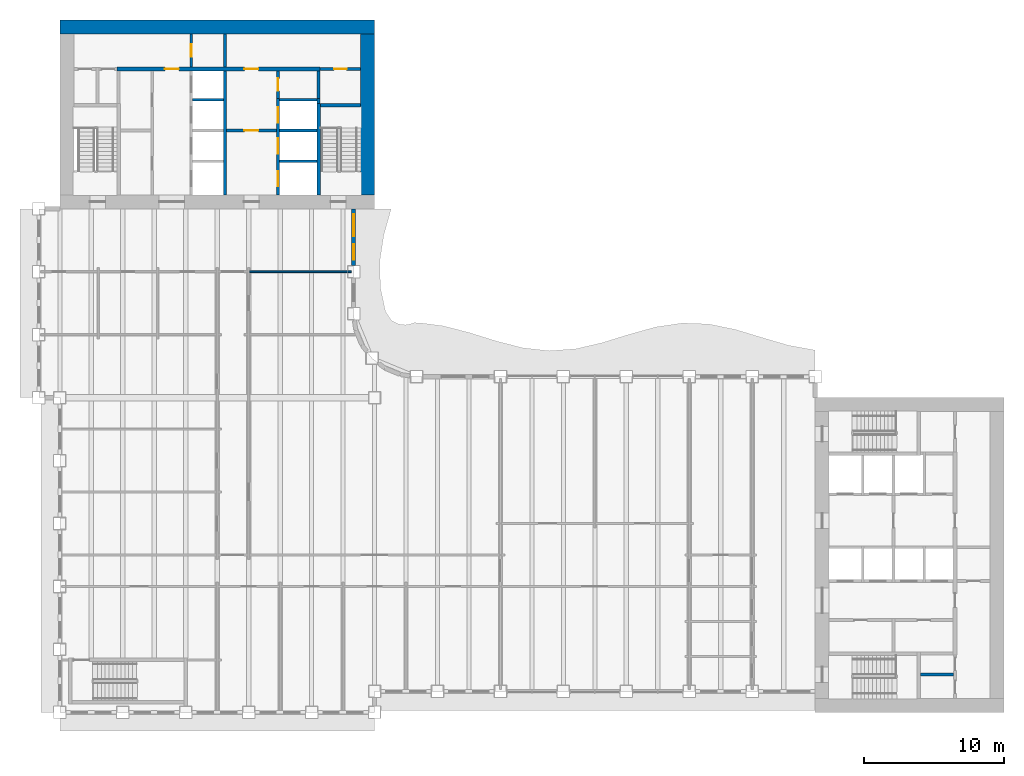
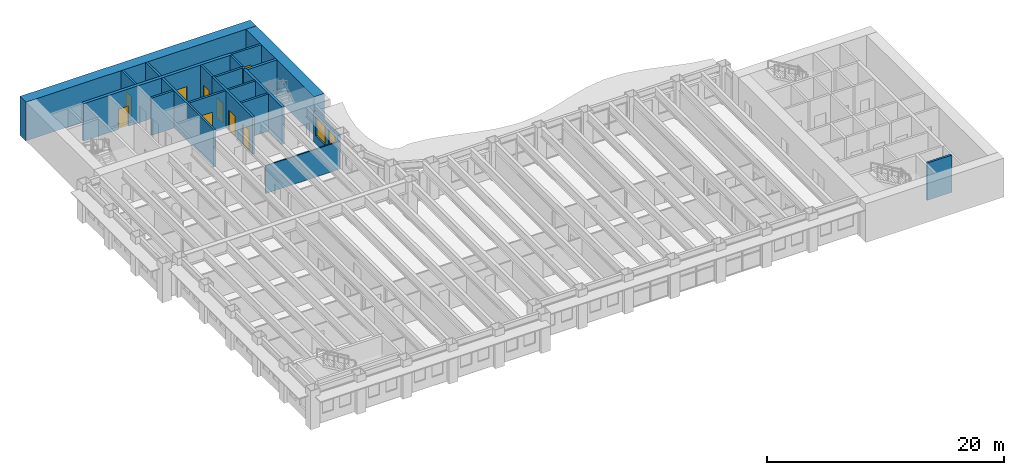
# One storey, part 10 of 17: 21 walls, 9 doors, 2 windows, 11 openings.
"""IFC4 building model written with IfcOpenShell, lengths in metres."""

from ifc_helpers import new_model, si_unit, direction, frame, frame_2d, origin, place, context, subcontext, project, spatial, rectangle, extrude, material, layer, layer_set, type_object, element, fill, save


model = new_model("IFC4")

# Units and contexts
model_context = context("Model", 3, precision=1e-05, world=origin(), true_north=direction((0.0, 1.0)))
body_context = subcontext(model_context, "Body", "Model", "MODEL_VIEW")
ifc_project = project(units=[si_unit("LENGTHUNIT", "METRE"), si_unit("AREAUNIT", "SQUARE_METRE"), si_unit("VOLUMEUNIT", "CUBIC_METRE"), si_unit("PLANEANGLEUNIT", "RADIAN"), si_unit("MASSUNIT", "GRAM", prefix="KILO")], contexts=[model_context])

# Site, building, storey
site_placement = place(None, origin())
site = spatial("IfcSite", under=ifc_project, at=site_placement, CompositionType="ELEMENT")
building_placement = place(site_placement, origin())
building = spatial("IfcBuilding", under=site, at=building_placement, Name="Sennacour Bend Tower", CompositionType="ELEMENT")
storey_placement = place(building_placement, frame((0.0, 0.0, 151.0)))
storey = spatial("IfcBuildingStorey", under=building, at=storey_placement, Name="L34", CompositionType="ELEMENT", Elevation=151.0)

# Walls
ifc_material_1 = material(Name="Concrete C60/75", Category="concrete")
ifc_layer_1 = layer(ifc_material_1, 1.0, Name="Concrete C60/75", Category="concrete")
ifc_layer_set_1 = layer_set([ifc_layer_1], Name="Concrete C60/75")
wall_type_1 = type_object("IfcWallType", Name="Core wall 1000 C60/75", PredefinedType="SHEAR", material=ifc_layer_set_1)
wall_1_placement = place(storey_placement, frame((0.0, 49.0, -0.14990234375), z_axis=(0.0, 0.0, 1.0), x_axis=(1.0, 0.0, 0.0)))
element("IfcWall", 1, at=wall_1_placement, inside=storey, type_object=wall_type_1, Name="Core B wall L34 N", PredefinedType="SHEAR", context=body_context, shape_type="SweptSolid", body=[
    extrude(rectangle(XDim=22.5, YDim=1.0, at=frame_2d((11.25, 0.0))), origin(), (0.0, 0.0, 1.0), 4.0),
])
wall_2_placement = place(storey_placement, frame((22.0, 37.0, -0.14990234375), z_axis=(0.0, 0.0, 1.0), x_axis=(0.0, 1.0, 0.0)))
element("IfcWall", 2, at=wall_2_placement, inside=storey, type_object=wall_type_1, Name="Core B wall L34 E", PredefinedType="SHEAR", context=body_context, shape_type="SweptSolid", body=[
    extrude(rectangle(XDim=11.5, YDim=1.0, at=frame_2d((5.75, 0.0))), origin(), (0.0, 0.0, 1.0), 4.0),
])
ifc_material_2 = material(Name="Plasterboard partition on steel studs", Category="steel")
ifc_layer_2 = layer(ifc_material_2, 0.1201171875, Name="Plasterboard partition on steel studs", Category="steel")
ifc_layer_set_2 = layer_set([ifc_layer_2], Name="Plasterboard partition on steel studs")
wall_type_2 = type_object("IfcWallType", Name="Partition 120", PredefinedType="PARTITIONING", material=ifc_layer_set_2)
wall_3_placement = place(storey_placement, frame((13.56005859375, 31.5, 0.0), z_axis=(0.0, 0.0, 1.0), x_axis=(1.0, 0.0, 0.0)))
element("IfcWall", 3, at=wall_3_placement, inside=storey, type_object=wall_type_2, Name="P-L34-W075ae", PredefinedType="PARTITIONING", context=body_context, shape_type="SweptSolid", body=[
    extrude(rectangle(XDim=7.2900390625, YDim=0.1201171875, at=frame_2d((3.64501953125, 0.0))), origin(), (0.0, 0.0, 1.0), 2.8701171875),
])

# Wall, opening, door
ifc_material_3 = material(Name="Fire-rated plasterboard partition on steel studs", Category="steel")
ifc_layer_3 = layer(ifc_material_3, 0.199951171875, Name="Fire-rated plasterboard partition on steel studs", Category="steel")
ifc_layer_set_3 = layer_set([ifc_layer_3], Name="Fire-rated plasterboard partition on steel studs")
wall_type_3 = type_object("IfcWallType", Name="Rated partition 200", PredefinedType="PARTITIONING", material=ifc_layer_set_3)
wall_4_placement = place(storey_placement, frame((9.39990234375, 46.14990234375, 0.0), z_axis=(0.0, 0.0, 1.0), x_axis=(0.0, 1.0, 0.0)))
wall_4 = element("IfcWall", 4, at=wall_4_placement, inside=storey, type_object=wall_type_3, Name="P-L34-W012", PredefinedType="PARTITIONING", context=body_context, shape_type="SweptSolid", body=[
    extrude(rectangle(XDim=2.35009765625, YDim=0.199951171875, at=frame_2d((1.175048828125, 0.0))), origin(), (0.0, 0.0, 1.0), 3.85009765625),
])
opening_1_placement = place(wall_4_placement, frame((0.72509765625, 0.0, 0.0)))
opening_1 = element("IfcOpeningElement", 5, at=opening_1_placement, cuts=wall_4, Name="Opening SV", PredefinedType="OPENING", context=body_context, shape_type="SweptSolid", body=[
    extrude(rectangle(XDim=0.89990234375, YDim=2.10009765625, at=frame_2d((0.449951171875, 1.050048828125))), frame((0.0, 0.10986328125, 0.0), z_axis=(0.0, -1.0, 0.0), x_axis=(1.0, 0.0, 0.0)), (0.0, 0.0, 1.0), 0.219970703125),
])
ifc_material_4 = material(Name="Painted steel", Category="steel")
door_type_1 = type_object("IfcDoorType", Name="DR-SERVICE-900", OperationType="NOTDEFINED", PredefinedType="DOOR", material=ifc_material_4)
door_1_placement = place(opening_1_placement, origin())
door_1 = element("IfcDoor", 6, at=door_1_placement, inside=storey, type_object=door_type_1, Name="Door", OperationType="SINGLE_SWING_RIGHT", OverallHeight=2.10009765625, OverallWidth=0.89990234375, PredefinedType="DOOR", context=body_context, shape_type="SweptSolid", body=[
    extrude(rectangle(XDim=0.89990234375, YDim=2.10009765625, at=frame_2d((0.449951171875, 1.050048828125))), frame((0.0, 0.02490234375, 0.0), z_axis=(0.0, -1.0, 0.0), x_axis=(1.0, 0.0, 0.0)), (0.0, 0.0, 1.0), 0.050048828125),
])
fill(opening_1, door_1)

# Wall
wall_5_placement = place(storey_placement, frame((11.800048828125, 46.14990234375, 0.0), z_axis=(0.0, 0.0, 1.0), x_axis=(0.0, 1.0, 0.0)))
element("IfcWall", 7, at=wall_5_placement, inside=storey, type_object=wall_type_3, Name="P-L34-W016", PredefinedType="PARTITIONING", context=body_context, shape_type="SweptSolid", body=[
    extrude(rectangle(XDim=2.35009765625, YDim=0.199951171875, at=frame_2d((1.175048828125, 0.0))), origin(), (0.0, 0.0, 1.0), 3.85009765625),
])

# Wall, opening, door
wall_6_placement = place(storey_placement, frame((15.60009765625, 43.89990234375, 0.0), z_axis=(0.0, 0.0, 1.0), x_axis=(0.0, 1.0, 0.0)))
wall_6 = element("IfcWall", 8, at=wall_6_placement, inside=storey, type_object=wall_type_3, Name="P-L34-W019", PredefinedType="PARTITIONING", context=body_context, shape_type="SweptSolid", body=[
    extrude(rectangle(XDim=1.9501953125, YDim=0.199951171875, at=frame_2d((0.97509765625, 0.0))), origin(), (0.0, 0.0, 1.0), 3.85009765625),
])
opening_2_placement = place(wall_6_placement, frame((0.525146484375, 0.0, 0.0)))
opening_2 = element("IfcOpeningElement", 9, at=opening_2_placement, cuts=wall_6, Name="Opening SV", PredefinedType="OPENING", context=body_context, shape_type="SweptSolid", body=[
    extrude(rectangle(XDim=0.89990234375, YDim=2.10009765625, at=frame_2d((0.449951171875, 1.050048828125))), frame((0.0, 0.10986328125, 0.0), z_axis=(0.0, -1.0, 0.0), x_axis=(1.0, 0.0, 0.0)), (0.0, 0.0, 1.0), 0.219970703125),
])
door_2_placement = place(opening_2_placement, origin())
door_2 = element("IfcDoor", 10, at=door_2_placement, inside=storey, type_object=door_type_1, Name="Door", OperationType="SINGLE_SWING_RIGHT", OverallHeight=2.10009765625, OverallWidth=0.89990234375, PredefinedType="DOOR", context=body_context, shape_type="SweptSolid", body=[
    extrude(rectangle(XDim=0.89990234375, YDim=2.10009765625, at=frame_2d((0.449951171875, 1.050048828125))), frame((0.0, 0.02490234375, 0.0), z_axis=(0.0, -1.0, 0.0), x_axis=(1.0, 0.0, 0.0)), (0.0, 0.0, 1.0), 0.050048828125),
])
fill(opening_2, door_2)

# Walls
wall_7_placement = place(storey_placement, frame((18.5, 43.89990234375, 0.0), z_axis=(0.0, 0.0, 1.0), x_axis=(0.0, 1.0, 0.0)))
element("IfcWall", 11, at=wall_7_placement, inside=storey, type_object=wall_type_3, Name="P-L34-W023", PredefinedType="PARTITIONING", context=body_context, shape_type="SweptSolid", body=[
    extrude(rectangle(XDim=1.9501953125, YDim=0.199951171875, at=frame_2d((0.97509765625, 0.0))), origin(), (0.0, 0.0, 1.0), 3.85009765625),
])
wall_8_placement = place(storey_placement, frame((61.52490234375, 2.699951171875, 0.0), z_axis=(0.0, 0.0, 1.0), x_axis=(1.0, 0.0, 0.0)))
element("IfcWall", 12, at=wall_8_placement, inside=storey, type_object=wall_type_3, Name="P-L34-W048", PredefinedType="PARTITIONING", context=body_context, shape_type="SweptSolid", body=[
    extrude(rectangle(XDim=2.375, YDim=0.199951171875, at=frame_2d((1.1875, 0.0))), origin(), (0.0, 0.0, 1.0), 3.85009765625),
])

# Wall, opening, door
wall_9_placement = place(storey_placement, frame((18.60009765625, 46.0, 0.0), z_axis=(0.0, 0.0, 1.0), x_axis=(1.0, 0.0, 0.0)))
wall_9 = element("IfcWall", 13, at=wall_9_placement, inside=storey, type_object=wall_type_3, Name="P-L34-W089", PredefinedType="PARTITIONING", context=body_context, shape_type="SweptSolid", body=[
    extrude(rectangle(XDim=2.89990234375, YDim=0.199951171875, at=frame_2d((1.449951171875, 0.0))), origin(), (0.0, 0.0, 1.0), 3.85009765625),
])
opening_3_placement = place(wall_9_placement, frame((1.0, 0.0, 0.0)))
opening_3 = element("IfcOpeningElement", 14, at=opening_3_placement, cuts=wall_9, Name="Opening WD", PredefinedType="OPENING", context=body_context, shape_type="SweptSolid", body=[
    extrude(rectangle(XDim=0.89990234375, YDim=2.10009765625, at=frame_2d((0.449951171875, 1.050048828125))), frame((0.0, 0.10986328125, 0.0), z_axis=(0.0, -1.0, 0.0), x_axis=(1.0, 0.0, 0.0)), (0.0, 0.0, 1.0), 0.219970703125),
])
ifc_material_5 = material(Name="Timber", Category="wood")
door_type_2 = type_object("IfcDoorType", Name="DR-WC-900", OperationType="NOTDEFINED", PredefinedType="DOOR", material=ifc_material_5)
door_3_placement = place(opening_3_placement, origin())
door_3 = element("IfcDoor", 15, at=door_3_placement, inside=storey, type_object=door_type_2, Name="Door", OperationType="SINGLE_SWING_LEFT", OverallHeight=2.10009765625, OverallWidth=0.89990234375, PredefinedType="DOOR", context=body_context, shape_type="SweptSolid", body=[
    extrude(rectangle(XDim=0.89990234375, YDim=2.10009765625, at=frame_2d((0.449951171875, 1.050048828125))), frame((0.0, 0.02490234375, 0.0), z_axis=(0.0, -1.0, 0.0), x_axis=(1.0, 0.0, 0.0)), (0.0, 0.0, 1.0), 0.050048828125),
])
fill(opening_3, door_3)

ifc_layer_4 = layer(ifc_material_3, 0.199951171875, Name="Fire-rated plasterboard partition on steel studs", Category="steel")
ifc_layer_set_4 = layer_set([ifc_layer_4], Name="Fire-rated plasterboard partition on steel studs")
wall_type_4 = type_object("IfcWallType", Name="Rated partition 200 EI 90", PredefinedType="PARTITIONING", material=ifc_layer_set_4)
wall_10_placement = place(storey_placement, frame((11.89990234375, 41.60009765625, 0.0), z_axis=(0.0, 0.0, 1.0), x_axis=(1.0, 0.0, 0.0)))
wall_10 = element("IfcWall", 16, at=wall_10_placement, inside=storey, type_object=wall_type_4, Name="P-L34-W081", PredefinedType="PARTITIONING", context=body_context, shape_type="SweptSolid", body=[
    extrude(rectangle(XDim=3.60009765625, YDim=0.199951171875, at=frame_2d((1.800048828125, 0.0))), origin(), (0.0, 0.0, 1.0), 3.85009765625),
])
opening_4_placement = place(wall_10_placement, frame((1.300048828125, 0.0, 0.0)))
opening_4 = element("IfcOpeningElement", 17, at=opening_4_placement, cuts=wall_10, Name="Opening FD2", PredefinedType="OPENING", context=body_context, shape_type="SweptSolid", body=[
    extrude(rectangle(XDim=1.0, YDim=2.10009765625, at=frame_2d((0.5, 1.050048828125))), frame((0.0, 0.10986328125, 0.0), z_axis=(0.0, -1.0, 0.0), x_axis=(1.0, 0.0, 0.0)), (0.0, 0.0, 1.0), 0.219970703125),
])
door_type_3 = type_object("IfcDoorType", Name="DR-FFL-1000", OperationType="NOTDEFINED", PredefinedType="DOOR", material=ifc_material_4)
door_4_placement = place(opening_4_placement, origin())
door_4 = element("IfcDoor", 18, at=door_4_placement, inside=storey, type_object=door_type_3, Name="Door", OperationType="SINGLE_SWING_RIGHT", OverallHeight=2.10009765625, OverallWidth=1.0, PredefinedType="DOOR", context=body_context, shape_type="SweptSolid", body=[
    extrude(rectangle(XDim=1.0, YDim=2.10009765625, at=frame_2d((0.5, 1.050048828125))), frame((0.0, 0.02490234375, 0.0), z_axis=(0.0, -1.0, 0.0), x_axis=(1.0, 0.0, 0.0)), (0.0, 0.0, 1.0), 0.050048828125),
])
fill(opening_4, door_4)

# Wall, openings, windows
ifc_material_6 = material(Name="Warm limestone cladding", Category="masonry")
ifc_layer_5 = layer(ifc_material_6, 0.050048828125, Name="Warm limestone cladding", Category="masonry")
ifc_material_7 = material(Name="Precast concrete C40/50", Category="concrete")
ifc_layer_6 = layer(ifc_material_7, 0.25, Name="Precast concrete C40/50", Category="concrete")
ifc_layer_set_5 = layer_set([ifc_layer_5, ifc_layer_6], Name="Precast concrete C40/50 with limestone cladding")
wall_type_5 = type_object("IfcWallType", Name="STONE-CLAD PRECAST SPANDREL 300", PredefinedType="STANDARD", material=ifc_layer_set_5)
wall_11_placement = place(storey_placement, frame((21.0, 31.949951171875, 0.0), z_axis=(0.0, 0.0, 1.0), x_axis=(0.0, 1.0, 0.0)))
wall_11 = element("IfcWall", 19, at=wall_11_placement, inside=storey, type_object=wall_type_5, Name="Stone spandrel and pier wall L34 15.01", PredefinedType="STANDARD", context=body_context, shape_type="SweptSolid", body=[
    extrude(rectangle(XDim=4.050048828125, YDim=0.300048828125, at=frame_2d((2.02490234375, 0.0))), origin(), (0.0, 0.0, 1.0), 3.14892578125),
])
opening_5_placement = place(wall_11_placement, frame((0.39990234375, 0.0, 0.89990234375)))
opening_5 = element("IfcOpeningElement", 20, at=opening_5_placement, cuts=wall_11, Name="Opening W19", PredefinedType="OPENING", context=body_context, shape_type="SweptSolid", body=[
    extrude(rectangle(XDim=1.10009765625, YDim=2.0, at=frame_2d((0.550048828125, 1.0))), frame((0.0, 0.16015625, 0.0), z_axis=(0.0, -1.0, 0.0), x_axis=(1.0, 0.0, 0.0)), (0.0, 0.0, 1.0), 0.320068359375),
])
opening_6_placement = place(wall_11_placement, frame((2.10009765625, 0.0, 0.89990234375)))
opening_6 = element("IfcOpeningElement", 21, at=opening_6_placement, cuts=wall_11, Name="Opening W9", PredefinedType="OPENING", context=body_context, shape_type="SweptSolid", body=[
    extrude(rectangle(XDim=1.550048828125, YDim=2.0, at=frame_2d((0.77490234375, 1.0))), frame((0.0, 0.16015625, 0.0), z_axis=(0.0, -1.0, 0.0), x_axis=(1.0, 0.0, 0.0)), (0.0, 0.0, 1.0), 0.320068359375),
])
ifc_material_8 = material(Name="Clear low-emissivity glass", Category="glass")
window_type_1 = type_object("IfcWindowType", Name="WIN-RIBBON-1100x2000", PartitioningType="SINGLE_PANEL", PredefinedType="WINDOW", material=ifc_material_8)
window_1_placement = place(opening_5_placement, origin())
window_1 = element("IfcWindow", 22, at=window_1_placement, inside=storey, type_object=window_type_1, Name="Ribbon window L34 15.01.0", OverallHeight=2.0, OverallWidth=1.10009765625, PartitioningType="SINGLE_PANEL", PredefinedType="WINDOW", context=body_context, shape_type="SweptSolid", body=[
    extrude(rectangle(XDim=1.10009765625, YDim=2.0, at=frame_2d((0.550048828125, 1.0))), frame((0.0, 0.030029296875, 0.0), z_axis=(0.0, -1.0, 0.0), x_axis=(1.0, 0.0, 0.0)), (0.0, 0.0, 1.0), 0.06005859375),
])
fill(opening_5, window_1)
window_type_2 = type_object("IfcWindowType", Name="WIN-RIBBON-1550x2000", PartitioningType="SINGLE_PANEL", PredefinedType="WINDOW", material=ifc_material_8)
window_2_placement = place(opening_6_placement, origin())
window_2 = element("IfcWindow", 23, at=window_2_placement, inside=storey, type_object=window_type_2, Name="Ribbon window L34 15.01.1", OverallHeight=2.0, OverallWidth=1.550048828125, PartitioningType="SINGLE_PANEL", PredefinedType="WINDOW", context=body_context, shape_type="SweptSolid", body=[
    extrude(rectangle(XDim=1.550048828125, YDim=2.0, at=frame_2d((0.77490234375, 1.0))), frame((0.0, 0.030029296875, 0.0), z_axis=(0.0, -1.0, 0.0), x_axis=(1.0, 0.0, 0.0)), (0.0, 0.0, 1.0), 0.06005859375),
])
fill(opening_6, window_2)

# Wall
ifc_material_9 = material(Name="Concrete C50/60", Category="concrete")
ifc_layer_7 = layer(ifc_material_9, 0.199951171875, Name="Concrete C50/60", Category="concrete")
ifc_layer_set_6 = layer_set([ifc_layer_7], Name="Concrete C50/60")
wall_type_6 = type_object("IfcWallType", Name="Shaft wall 200", PredefinedType="SOLIDWALL", material=ifc_layer_set_6)
wall_12_placement = place(storey_placement, frame((11.800048828125, 37.0, 0.0), z_axis=(0.0, 0.0, 1.0), x_axis=(0.0, 1.0, 0.0)))
element("IfcWall", 24, at=wall_12_placement, inside=storey, type_object=wall_type_6, Name="P-L34-W015", PredefinedType="SOLIDWALL", context=body_context, shape_type="SweptSolid", body=[
    extrude(rectangle(XDim=8.85009765625, YDim=0.199951171875, at=frame_2d((4.425048828125, 0.0))), origin(), (0.0, 0.0, 1.0), 3.85009765625),
])

# Wall, openings, doors
wall_13_placement = place(storey_placement, frame((15.60009765625, 37.0, 0.0), z_axis=(0.0, 0.0, 1.0), x_axis=(0.0, 1.0, 0.0)))
wall_13 = element("IfcWall", 25, at=wall_13_placement, inside=storey, type_object=wall_type_6, Name="P-L34-W018", PredefinedType="SOLIDWALL", context=body_context, shape_type="SweptSolid", body=[
    extrude(rectangle(XDim=6.89990234375, YDim=0.199951171875, at=frame_2d((3.449951171875, 0.0))), origin(), (0.0, 0.0, 1.0), 3.85009765625),
])
opening_7_placement = place(wall_13_placement, frame((0.60009765625, 0.0, 0.011962890625)))
opening_7 = element("IfcOpeningElement", 26, at=opening_7_placement, cuts=wall_13, Name="Opening FLD", PredefinedType="OPENING", context=body_context, shape_type="SweptSolid", body=[
    extrude(rectangle(XDim=1.10009765625, YDim=2.10009765625, at=frame_2d((0.550048828125, 1.050048828125))), frame((0.0, 0.10986328125, 0.0), z_axis=(0.0, -1.0, 0.0), x_axis=(1.0, 0.0, 0.0)), (0.0, 0.0, 1.0), 0.219970703125),
])
opening_8_placement = place(wall_13_placement, frame((2.949951171875, 0.0, 0.011962890625)))
opening_8 = element("IfcOpeningElement", 27, at=opening_8_placement, cuts=wall_13, Name="Opening FLD", PredefinedType="OPENING", context=body_context, shape_type="SweptSolid", body=[
    extrude(rectangle(XDim=1.10009765625, YDim=2.10009765625, at=frame_2d((0.550048828125, 1.050048828125))), frame((0.0, 0.10986328125, 0.0), z_axis=(0.0, -1.0, 0.0), x_axis=(1.0, 0.0, 0.0)), (0.0, 0.0, 1.0), 0.219970703125),
])
opening_9_placement = place(wall_13_placement, frame((5.14990234375, 0.0, 0.011962890625)))
opening_9 = element("IfcOpeningElement", 28, at=opening_9_placement, cuts=wall_13, Name="Opening LD", PredefinedType="OPENING", context=body_context, shape_type="SweptSolid", body=[
    extrude(rectangle(XDim=1.10009765625, YDim=2.10009765625, at=frame_2d((0.550048828125, 1.050048828125))), frame((0.0, 0.10986328125, 0.0), z_axis=(0.0, -1.0, 0.0), x_axis=(1.0, 0.0, 0.0)), (0.0, 0.0, 1.0), 0.219970703125),
])
ifc_material_10 = material(Name="Stainless steel", Category="steel")
door_type_4 = type_object("IfcDoorType", Name="DR-FF-LANDING-1100", OperationType="NOTDEFINED", PredefinedType="DOOR", material=ifc_material_10)
door_5_placement = place(opening_7_placement, origin())
door_5 = element("IfcDoor", 29, at=door_5_placement, inside=storey, type_object=door_type_4, Name="Fire service lift landing door FB1", OperationType="SLIDING_TO_RIGHT", OverallHeight=2.10009765625, OverallWidth=1.10009765625, PredefinedType="DOOR", context=body_context, shape_type="SweptSolid", body=[
    extrude(rectangle(XDim=1.10009765625, YDim=2.10009765625, at=frame_2d((0.550048828125, 1.050048828125))), frame((0.0, 0.02490234375, 0.0), z_axis=(0.0, -1.0, 0.0), x_axis=(1.0, 0.0, 0.0)), (0.0, 0.0, 1.0), 0.050048828125),
])
fill(opening_7, door_5)
door_6_placement = place(opening_8_placement, origin())
door_6 = element("IfcDoor", 30, at=door_6_placement, inside=storey, type_object=door_type_4, Name="Fire service lift landing door FB2", OperationType="SLIDING_TO_LEFT", OverallHeight=2.10009765625, OverallWidth=1.10009765625, PredefinedType="DOOR", context=body_context, shape_type="SweptSolid", body=[
    extrude(rectangle(XDim=1.10009765625, YDim=2.10009765625, at=frame_2d((0.550048828125, 1.050048828125))), frame((0.0, 0.02490234375, 0.0), z_axis=(0.0, -1.0, 0.0), x_axis=(1.0, 0.0, 0.0)), (0.0, 0.0, 1.0), 0.050048828125),
])
fill(opening_8, door_6)
door_type_5 = type_object("IfcDoorType", Name="DR-LANDING-1100", OperationType="NOTDEFINED", PredefinedType="DOOR", material=ifc_material_10)
door_7_placement = place(opening_9_placement, origin())
door_7 = element("IfcDoor", 31, at=door_7_placement, inside=storey, type_object=door_type_5, Name="Lift landing door MB5", OperationType="SLIDING_TO_RIGHT", OverallHeight=2.10009765625, OverallWidth=1.10009765625, PredefinedType="DOOR", context=body_context, shape_type="SweptSolid", body=[
    extrude(rectangle(XDim=1.10009765625, YDim=2.10009765625, at=frame_2d((0.550048828125, 1.050048828125))), frame((0.0, 0.02490234375, 0.0), z_axis=(0.0, -1.0, 0.0), x_axis=(1.0, 0.0, 0.0)), (0.0, 0.0, 1.0), 0.050048828125),
])
fill(opening_9, door_7)

# Walls
wall_14_placement = place(storey_placement, frame((18.5, 43.52490234375, 0.0), z_axis=(0.0, 0.0, 1.0), x_axis=(0.0, 1.0, 0.0)))
element("IfcWall", 32, at=wall_14_placement, inside=storey, type_object=wall_type_6, Name="P-L34-W022", PredefinedType="SOLIDWALL", context=body_context, shape_type="SweptSolid", body=[
    extrude(rectangle(XDim=0.375, YDim=0.199951171875, at=frame_2d((0.1875, 0.0))), origin(), (0.0, 0.0, 1.0), 3.85009765625),
])
for number, where, z_axis, x_axis, name in (
    (33, (15.699951171875, 39.39990234375, 0.0), (0.0, 0.0, 1.0), (1.0, 0.0, 0.0), "P-L34-W078"),
    (34, (15.699951171875, 41.60009765625, 0.0), (0.0, 0.0, 1.0), (1.0, 0.0, 0.0), "P-L34-W082"),
):
    element("IfcWall", number, at=place(storey_placement, frame(where, z_axis=z_axis, x_axis=x_axis)), inside=storey, type_object=wall_type_6, Name=name, PredefinedType="SOLIDWALL", context=body_context, shape_type="SweptSolid", body=[
        extrude(rectangle(XDim=2.675048828125, YDim=0.199951171875, at=frame_2d((1.33740234375, 0.0))), origin(), (0.0, 0.0, 1.0), 3.85009765625),
    ])
wall_15_placement = place(storey_placement, frame((9.5, 43.800048828125, 0.0), z_axis=(0.0, 0.0, 1.0), x_axis=(1.0, 0.0, 0.0)))
element("IfcWall", 35, at=wall_15_placement, inside=storey, type_object=wall_type_6, Name="P-L34-W085", PredefinedType="SOLIDWALL", context=body_context, shape_type="SweptSolid", body=[
    extrude(rectangle(XDim=2.199951171875, YDim=0.199951171875, at=frame_2d((1.10009765625, 0.0))), origin(), (0.0, 0.0, 1.0), 3.85009765625),
])
wall_16_placement = place(storey_placement, frame((15.699951171875, 43.800048828125, 0.0), z_axis=(0.0, 0.0, 1.0), x_axis=(1.0, 0.0, 0.0)))
element("IfcWall", 36, at=wall_16_placement, inside=storey, type_object=wall_type_6, Name="P-L34-W086", PredefinedType="SOLIDWALL", context=body_context, shape_type="SweptSolid", body=[
    extrude(rectangle(XDim=2.699951171875, YDim=0.199951171875, at=frame_2d((1.35009765625, 0.0))), origin(), (0.0, 0.0, 1.0), 3.85009765625),
])

# Wall, openings, doors
ifc_layer_8 = layer(ifc_material_1, 0.300048828125, Name="Concrete C60/75", Category="concrete")
ifc_layer_set_7 = layer_set([ifc_layer_8], Name="Concrete C60/75")
wall_type_7 = type_object("IfcWallType", Name="Spine wall 300", PredefinedType="SHEAR", material=ifc_layer_set_7)
wall_17_placement = place(storey_placement, frame((4.10009765625, 46.0, 0.0), z_axis=(0.0, 0.0, 1.0), x_axis=(1.0, 0.0, 0.0)))
wall_17 = element("IfcWall", 37, at=wall_17_placement, inside=storey, type_object=wall_type_7, Name="P-L34-W088", PredefinedType="SHEAR", context=body_context, shape_type="SweptSolid", body=[
    extrude(rectangle(XDim=14.5, YDim=0.300048828125, at=frame_2d((7.25, 0.0))), origin(), (0.0, 0.0, 1.0), 3.85009765625),
])
opening_10_placement = place(wall_17_placement, frame((3.39990234375, 0.0, 0.0)))
opening_10 = element("IfcOpeningElement", 38, at=opening_10_placement, cuts=wall_17, Name="Opening CD2", PredefinedType="OPENING", context=body_context, shape_type="SweptSolid", body=[
    extrude(rectangle(XDim=1.0, YDim=2.10009765625, at=frame_2d((0.5, 1.050048828125))), frame((0.0, 0.16015625, 0.0), z_axis=(0.0, -1.0, 0.0), x_axis=(1.0, 0.0, 0.0)), (0.0, 0.0, 1.0), 0.320068359375),
])
opening_11_placement = place(wall_17_placement, frame((9.099853515625, 0.0, 0.0)))
opening_11 = element("IfcOpeningElement", 39, at=opening_11_placement, cuts=wall_17, Name="Opening CD2", PredefinedType="OPENING", context=body_context, shape_type="SweptSolid", body=[
    extrude(rectangle(XDim=1.0, YDim=2.10009765625, at=frame_2d((0.5, 1.050048828125))), frame((0.0, 0.16015625, 0.0), z_axis=(0.0, -1.0, 0.0), x_axis=(1.0, 0.0, 0.0)), (0.0, 0.0, 1.0), 0.320068359375),
])
door_type_6 = type_object("IfcDoorType", Name="DR-LOBBY-1000", OperationType="NOTDEFINED", PredefinedType="DOOR", material=ifc_material_4)
door_8_placement = place(opening_10_placement, origin())
door_8 = element("IfcDoor", 40, at=door_8_placement, inside=storey, type_object=door_type_6, Name="Door", OperationType="SINGLE_SWING_LEFT", OverallHeight=2.10009765625, OverallWidth=1.0, PredefinedType="DOOR", context=body_context, shape_type="SweptSolid", body=[
    extrude(rectangle(XDim=1.0, YDim=2.10009765625, at=frame_2d((0.5, 1.050048828125))), frame((0.0, 0.02490234375, 0.0), z_axis=(0.0, -1.0, 0.0), x_axis=(1.0, 0.0, 0.0)), (0.0, 0.0, 1.0), 0.050048828125),
])
fill(opening_10, door_8)
door_9_placement = place(opening_11_placement, origin())
door_9 = element("IfcDoor", 41, at=door_9_placement, inside=storey, type_object=door_type_6, Name="Door", OperationType="SINGLE_SWING_RIGHT", OverallHeight=2.10009765625, OverallWidth=1.0, PredefinedType="DOOR", context=body_context, shape_type="SweptSolid", body=[
    extrude(rectangle(XDim=1.0, YDim=2.10009765625, at=frame_2d((0.5, 1.050048828125))), frame((0.0, 0.02490234375, 0.0), z_axis=(0.0, -1.0, 0.0), x_axis=(1.0, 0.0, 0.0)), (0.0, 0.0, 1.0), 0.050048828125),
])
fill(opening_11, door_9)

# Walls
ifc_layer_9 = layer(ifc_material_1, 0.25, Name="Concrete C60/75", Category="concrete")
ifc_layer_set_8 = layer_set([ifc_layer_9], Name="Concrete C60/75")
wall_type_8 = type_object("IfcWallType", Name="Stair wall 250", PredefinedType="SHEAR", material=ifc_layer_set_8)
wall_18_placement = place(storey_placement, frame((18.5, 37.0, 0.0), z_axis=(0.0, 0.0, 1.0), x_axis=(0.0, 1.0, 0.0)))
element("IfcWall", 42, at=wall_18_placement, inside=storey, type_object=wall_type_8, Name="P-L34-W021", PredefinedType="SHEAR", context=body_context, shape_type="SweptSolid", body=[
    extrude(rectangle(XDim=6.52490234375, YDim=0.25, at=frame_2d((3.262451171875, 0.0))), origin(), (0.0, 0.0, 1.0), 3.85009765625),
])
wall_19_placement = place(storey_placement, frame((18.625, 43.39990234375, 0.0), z_axis=(0.0, 0.0, 1.0), x_axis=(1.0, 0.0, 0.0)))
element("IfcWall", 43, at=wall_19_placement, inside=storey, type_object=wall_type_8, Name="P-L34-W084", PredefinedType="SHEAR", context=body_context, shape_type="SweptSolid", body=[
    extrude(rectangle(XDim=2.875, YDim=0.25, at=frame_2d((1.4375, 0.0))), origin(), (0.0, 0.0, 1.0), 3.85009765625),
])

save(model, "model.ifc")
